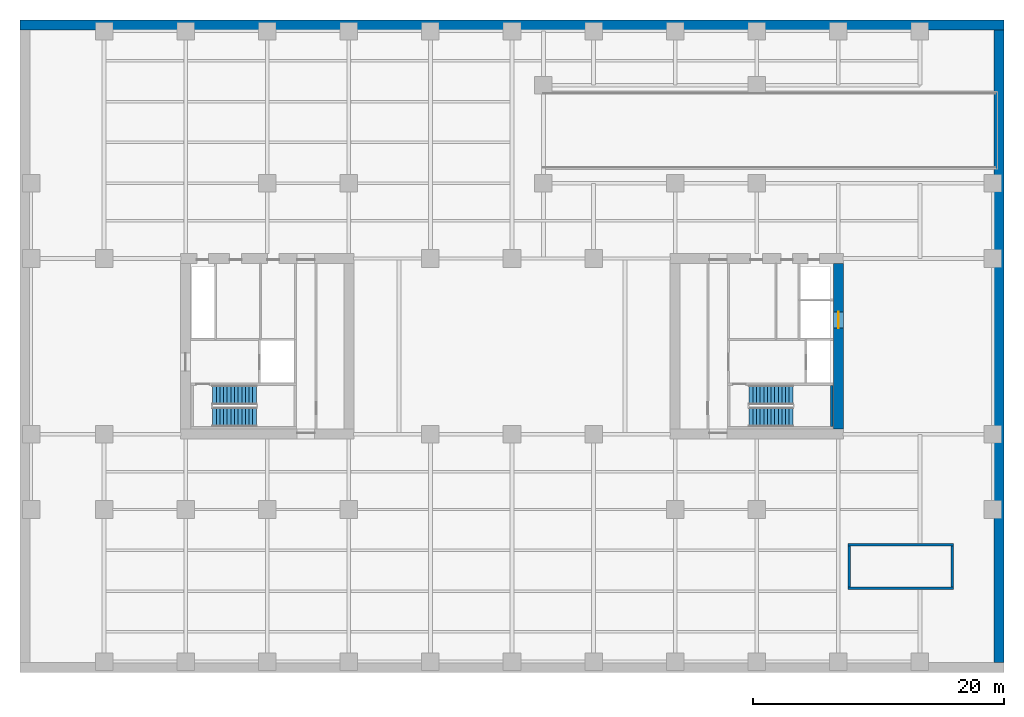
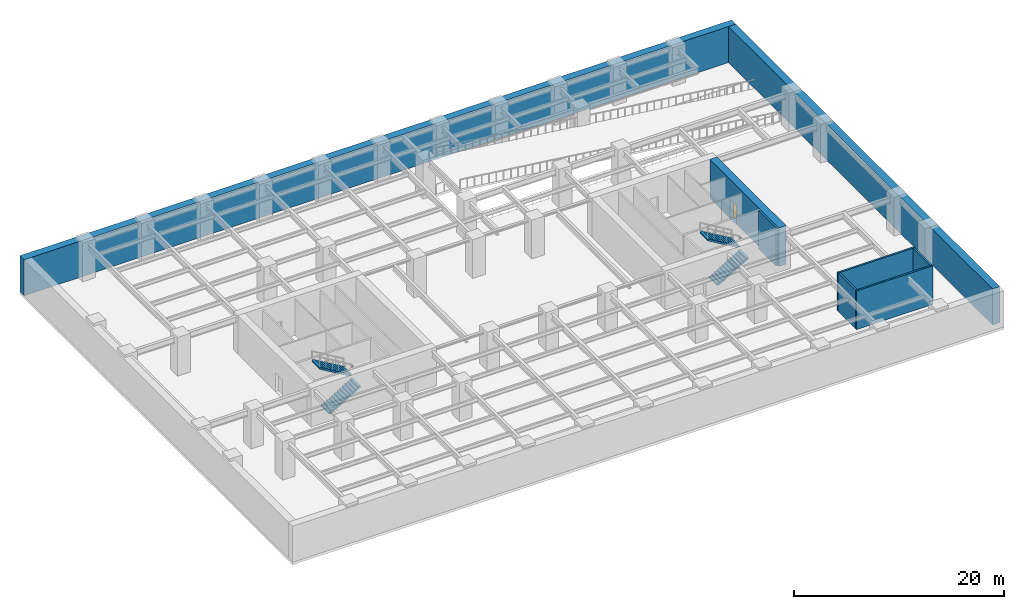
# One storey, part 7 of 10: 8 walls, 4 stair flights, 1 door, 1 opening, 2 elements without a shape of their own.
"""IFC4 building model written with IfcOpenShell, lengths in metres."""

from ifc_helpers import new_model, si_unit, direction, frame, frame_2d, origin, place, context, subcontext, project, spatial, polyline, rectangle, outline, extrude, material, layer, layer_set, type_object, element, fill, aggregate, save


model = new_model("IFC4")

# Units and contexts
model_context = context("Model", 3, precision=1e-05, world=origin(), true_north=direction((0.0, 1.0)))
body_context = subcontext(model_context, "Body", "Model", "MODEL_VIEW")
ifc_project = project(units=[si_unit("LENGTHUNIT", "METRE"), si_unit("AREAUNIT", "SQUARE_METRE"), si_unit("VOLUMEUNIT", "CUBIC_METRE"), si_unit("PLANEANGLEUNIT", "RADIAN"), si_unit("MASSUNIT", "GRAM", prefix="KILO")], contexts=[model_context])

# Site, building, storey
site_placement = place(None, origin())
site = spatial("IfcSite", under=ifc_project, at=site_placement, CompositionType="ELEMENT")
building_placement = place(site_placement, origin())
building = spatial("IfcBuilding", under=site, at=building_placement, Name="Putna Gate Headquarters", CompositionType="ELEMENT")
storey_placement = place(building_placement, frame((0.0, 0.0, -9.0)))
storey = spatial("IfcBuildingStorey", under=building, at=storey_placement, Name="B02", CompositionType="ELEMENT", Elevation=-9.0)

# Wall, opening, door
ifc_material_1 = material(Name="Concrete C60/75", Category="concrete")
ifc_layer_1 = layer(ifc_material_1, 0.800048828125)
ifc_layer_set_1 = layer_set([ifc_layer_1], Name="Concrete C60/75")
wall_type_1 = type_object("IfcWallType", Name="WALL-CORE-800", PredefinedType="SHEAR", material=ifc_layer_set_1)
wall_1_placement = place(storey_placement, frame((65.0, 19.39990234375, 0.0), z_axis=(0.0, 0.0, 1.0), x_axis=(0.0, 1.0, 0.0)))
wall_1 = element("IfcWall", 1, at=wall_1_placement, inside=storey, type_object=wall_type_1, Name="B02 EC Split Core Shear Wall E", PredefinedType="SHEAR", context=body_context, shape_type="SweptSolid", body=[
    extrude(rectangle(XDim=13.2001953125, YDim=0.800048828125, at=frame_2d((6.60009765625, 0.0))), origin(), (0.0, 0.0, 1.0), 4.5),
])
opening_placement = place(wall_1_placement, frame((8.050048828125, 0.0, 0.0)))
opening = element("IfcOpeningElement", 2, at=opening_placement, cuts=wall_1, Name="Opening LD-2", PredefinedType="OPENING", context=body_context, shape_type="SweptSolid", body=[
    extrude(rectangle(XDim=1.300048828125, YDim=2.199951171875, at=frame_2d((0.64990234375, 1.10009765625))), frame((0.0, 0.409912109375, 0.0), z_axis=(0.0, -1.0, 0.0), x_axis=(1.0, 0.0, 0.0)), (0.0, 0.0, 1.0), 0.820068359375),
])
ifc_material_2 = material(Name="Heavy-duty goods lift sliding landing door")
door_type = type_object("IfcDoorType", Name="DOOR-LIFT-1300", OperationType="DOUBLE_DOOR_SLIDING", PredefinedType="DOOR", material=ifc_material_2)
door_placement = place(opening_placement, origin())
door = element("IfcDoor", 3, at=door_placement, inside=storey, type_object=door_type, Name="B02 Goods Lift Landing Door LD-15", OperationType="DOUBLE_DOOR_SLIDING", OverallHeight=2.199951171875, OverallWidth=1.300048828125, PredefinedType="DOOR", context=body_context, shape_type="SweptSolid", body=[
    extrude(rectangle(XDim=1.300048828125, YDim=2.199951171875, at=frame_2d((0.64990234375, 1.10009765625))), frame((0.0, 0.02490234375, 0.0), z_axis=(0.0, -1.0, 0.0), x_axis=(1.0, 0.0, 0.0)), (0.0, 0.0, 1.0), 0.050048828125),
])
fill(opening, door)

# Walls
ifc_material_3 = material(Name="Concrete C40/50", Category="concrete")
ifc_layer_2 = layer(ifc_material_3, 0.800048828125)
ifc_layer_set_2 = layer_set([ifc_layer_2], Name="Concrete C40/50")
wall_type_2 = type_object("IfcWallType", Name="WALL-RET-800", PredefinedType="USERDEFINED", material=ifc_layer_set_2)
wall_2_placement = place(storey_placement, frame((78.199951171875, 51.60009765625, 0.0), z_axis=(0.0, 0.0, 1.0), x_axis=(-1.0, 0.0, 0.0)))
element("IfcWall", 4, at=wall_2_placement, inside=storey, type_object=wall_type_2, Name="B02 Basement Retaining Wall N", ObjectType="RETAININGWALL", PredefinedType="USERDEFINED", context=body_context, shape_type="SweptSolid", body=[
    extrude(rectangle(XDim=78.39990234375, YDim=0.800048828125, at=frame_2d((39.199951171875, 0.0))), origin(), (0.0, 0.0, 1.0), 4.199951171875),
])
wall_3_placement = place(storey_placement, frame((77.800048828125, 0.800048828125, 0.0), z_axis=(0.0, 0.0, 1.0), x_axis=(0.0, 1.0, 0.0)))
element("IfcWall", 5, at=wall_3_placement, inside=storey, type_object=wall_type_2, Name="B02 Basement Retaining Wall E", ObjectType="RETAININGWALL", PredefinedType="USERDEFINED", context=body_context, shape_type="SweptSolid", body=[
    extrude(rectangle(XDim=50.39990234375, YDim=0.800048828125, at=frame_2d((25.199951171875, 0.0))), origin(), (0.0, 0.0, 1.0), 4.199951171875),
])
ifc_layer_3 = layer(ifc_material_3, 0.199951171875)
ifc_layer_set_3 = layer_set([ifc_layer_3], Name="Concrete C40/50")
wall_type_3 = type_object("IfcWallType", Name="WALL-SHAFT-RC200", PredefinedType="SHEAR", material=ifc_layer_set_3)
wall_4_placement = place(storey_placement, frame((64.489990234375, 19.610107421875, 0.0), z_axis=(0.0, 0.0, 1.0), x_axis=(0.0, 1.0, 0.0)))
element("IfcWall", 6, at=wall_4_placement, inside=storey, type_object=wall_type_3, Name="B02 Stair ST2 Structural Shaft Wall E", PredefinedType="SHEAR", context=body_context, shape_type="SweptSolid", body=[
    extrude(rectangle(XDim=3.27978515625, YDim=0.199951171875, at=frame_2d((1.639892578125, 0.0))), origin(), (0.0, 0.0, 1.0), 4.5),
])
for number, where, z_axis, x_axis, name in (
    (7, (65.760009765625, 6.7099609375, 0.0), (0.0, 0.0, 1.0), (1.0, 0.0, 0.0), "B02 Stair ST3 Structural Shaft Wall S"),
    (8, (65.760009765625, 10.18994140625, 0.0), (0.0, 0.0, 1.0), (1.0, 0.0, 0.0), "B02 Stair ST3 Structural Shaft Wall N"),
):
    element("IfcWall", number, at=place(storey_placement, frame(where, z_axis=z_axis, x_axis=x_axis)), inside=storey, type_object=wall_type_3, Name=name, PredefinedType="SHEAR", context=body_context, shape_type="SweptSolid", body=[
        extrude(rectangle(XDim=8.429931640625, YDim=0.199951171875, at=frame_2d((4.21484375, 0.0))), origin(), (0.0, 0.0, 1.0), 4.5),
    ])
for number, where, z_axis, x_axis, name in (
    (9, (65.860107421875, 6.81005859375, 0.0), (0.0, 0.0, 1.0), (0.0, 1.0, 0.0), "B02 Stair ST3 Structural Shaft Wall W"),
    (10, (74.090087890625, 6.81005859375, 0.0), (0.0, 0.0, 1.0), (0.0, 1.0, 0.0), "B02 Stair ST3 Structural Shaft Wall E"),
):
    element("IfcWall", number, at=place(storey_placement, frame(where, z_axis=z_axis, x_axis=x_axis)), inside=storey, type_object=wall_type_3, Name=name, PredefinedType="SHEAR", context=body_context, shape_type="SweptSolid", body=[
        extrude(rectangle(XDim=3.280029296875, YDim=0.199951171875, at=frame_2d((1.64013671875, 0.0))), origin(), (0.0, 0.0, 1.0), 4.5),
    ])

# Stair, stair flights
stair_type_1 = type_object("IfcStairType", Name="STAIR-ST1", PredefinedType="HALF_TURN_STAIR", material=ifc_material_3)
stair_1_placement = place(storey_placement, origin())
stair_1 = element("IfcStair", 11, at=stair_1_placement, inside=storey, type_object=stair_type_1, Name="B02 West Core Exit Stair ST1", PredefinedType="HALF_TURN_STAIR")
stair_flight_type_1 = type_object("IfcStairFlightType", Name="FLIGHT-ST1", PredefinedType="STRAIGHT", material=ifc_material_3)
stair_flight_1_placement = place(storey_placement, frame((15.14990234375, 20.375, 0.0), z_axis=(0.0, 0.0, 1.0), x_axis=(1.0, 0.0, 0.0)))
stair_flight_1 = element("IfcStairFlight", 12, at=stair_flight_1_placement, type_object=stair_flight_type_1, Name="ST1 flight 1", NumberOfRisers=13, NumberOfTreads=12, PredefinedType="STRAIGHT", RiserHeight=0.173076923, TreadLength=0.29, context=body_context, shape_type="SweptSolid", body=[
    extrude(outline(polyline([(0.0, 0.0), (0.0, 0.173095703125), (0.2900390625, 0.173095703125), (0.2900390625, 0.34619140625), (0.580078125, 0.34619140625), (0.580078125, 0.519287109375), (0.8701171875, 0.519287109375), (0.8701171875, 0.6923828125), (1.159912109375, 0.6923828125), (1.159912109375, 0.865478515625), (1.449951171875, 0.865478515625), (1.449951171875, 1.03857421875), (1.739990234375, 1.03857421875), (1.739990234375, 1.21142578125), (2.030029296875, 1.21142578125), (2.030029296875, 1.384521484375), (2.320068359375, 1.384521484375), (2.320068359375, 1.5576171875), (2.610107421875, 1.5576171875), (2.610107421875, 1.730712890625), (2.89990234375, 1.730712890625), (2.89990234375, 1.90380859375), (3.18994140625, 1.90380859375), (3.18994140625, 2.076904296875), (3.47998046875, 2.076904296875), (3.47998046875, 2.25), (3.47998046875, 1.90234375), (0.29248046875, 0.0), (0.0, 0.0)])), frame((0.0, 0.77490234375, 0.0), z_axis=(0.0, -1.0, 0.0), x_axis=(1.0, 0.0, 0.0)), (0.0, 0.0, 1.0), 1.550048828125),
])
stair_flight_2_placement = place(storey_placement, frame((18.6298828125, 22.125, 2.25), z_axis=(0.0, 0.0, 1.0), x_axis=(-1.0, 0.0, 0.0)))
stair_flight_2 = element("IfcStairFlight", 13, at=stair_flight_2_placement, type_object=stair_flight_type_1, Name="ST1 flight 2", NumberOfRisers=13, NumberOfTreads=12, PredefinedType="STRAIGHT", RiserHeight=0.173076923, TreadLength=0.29, context=body_context, shape_type="SweptSolid", body=[
    extrude(outline(polyline([(0.0, 0.0), (0.0, 0.173095703125), (0.2900390625, 0.173095703125), (0.2900390625, 0.34619140625), (0.580078125, 0.34619140625), (0.580078125, 0.519287109375), (0.8701171875, 0.519287109375), (0.8701171875, 0.6923828125), (1.159912109375, 0.6923828125), (1.159912109375, 0.865478515625), (1.449951171875, 0.865478515625), (1.449951171875, 1.03857421875), (1.739990234375, 1.03857421875), (1.739990234375, 1.21142578125), (2.030029296875, 1.21142578125), (2.030029296875, 1.384521484375), (2.320068359375, 1.384521484375), (2.320068359375, 1.5576171875), (2.610107421875, 1.5576171875), (2.610107421875, 1.730712890625), (2.89990234375, 1.730712890625), (2.89990234375, 1.90380859375), (3.18994140625, 1.90380859375), (3.18994140625, 2.076904296875), (3.47998046875, 2.076904296875), (3.47998046875, 2.25), (3.47998046875, 1.90234375), (0.29248046875, 0.0), (0.0, 0.0)])), frame((0.0, 0.77490234375, 0.0), z_axis=(0.0, -1.0, 0.0), x_axis=(1.0, 0.0, 0.0)), (0.0, 0.0, 1.0), 1.550048828125),
])
aggregate(stair_1, [stair_flight_1, stair_flight_2])

stair_type_2 = type_object("IfcStairType", Name="STAIR-ST2", PredefinedType="HALF_TURN_STAIR", material=ifc_material_3)
stair_2_placement = place(storey_placement, origin())
stair_2 = element("IfcStair", 14, at=stair_2_placement, inside=storey, type_object=stair_type_2, Name="B02 East Core Exit Stair ST2", PredefinedType="HALF_TURN_STAIR")
stair_flight_type_2 = type_object("IfcStairFlightType", Name="FLIGHT-ST2", PredefinedType="STRAIGHT", material=ifc_material_3)
stair_flight_3_placement = place(storey_placement, frame((57.89990234375, 20.375, 0.0), z_axis=(0.0, 0.0, 1.0), x_axis=(1.0, 0.0, 0.0)))
stair_flight_3 = element("IfcStairFlight", 15, at=stair_flight_3_placement, type_object=stair_flight_type_2, Name="ST2 flight 1", NumberOfRisers=13, NumberOfTreads=12, PredefinedType="STRAIGHT", RiserHeight=0.173076923, TreadLength=0.29, context=body_context, shape_type="SweptSolid", body=[
    extrude(outline(polyline([(0.0, 0.0), (0.0, 0.173095703125), (0.2900390625, 0.173095703125), (0.2900390625, 0.34619140625), (0.580078125, 0.34619140625), (0.580078125, 0.519287109375), (0.8701171875, 0.519287109375), (0.8701171875, 0.6923828125), (1.159912109375, 0.6923828125), (1.159912109375, 0.865478515625), (1.449951171875, 0.865478515625), (1.449951171875, 1.03857421875), (1.739990234375, 1.03857421875), (1.739990234375, 1.21142578125), (2.030029296875, 1.21142578125), (2.030029296875, 1.384521484375), (2.320068359375, 1.384521484375), (2.320068359375, 1.5576171875), (2.610107421875, 1.5576171875), (2.610107421875, 1.730712890625), (2.89990234375, 1.730712890625), (2.89990234375, 1.90380859375), (3.18994140625, 1.90380859375), (3.18994140625, 2.076904296875), (3.47998046875, 2.076904296875), (3.47998046875, 2.25), (3.47998046875, 1.90234375), (0.29248046875, 0.0), (0.0, 0.0)])), frame((0.0, 0.77490234375, 0.0), z_axis=(0.0, -1.0, 0.0), x_axis=(1.0, 0.0, 0.0)), (0.0, 0.0, 1.0), 1.550048828125),
])
stair_flight_4_placement = place(storey_placement, frame((61.3798828125, 22.125, 2.25), z_axis=(0.0, 0.0, 1.0), x_axis=(-1.0, 0.0, 0.0)))
stair_flight_4 = element("IfcStairFlight", 16, at=stair_flight_4_placement, type_object=stair_flight_type_2, Name="ST2 flight 2", NumberOfRisers=13, NumberOfTreads=12, PredefinedType="STRAIGHT", RiserHeight=0.173076923, TreadLength=0.29, context=body_context, shape_type="SweptSolid", body=[
    extrude(outline(polyline([(0.0, 0.0), (0.0, 0.173095703125), (0.2900390625, 0.173095703125), (0.2900390625, 0.34619140625), (0.580078125, 0.34619140625), (0.580078125, 0.519287109375), (0.8701171875, 0.519287109375), (0.8701171875, 0.6923828125), (1.159912109375, 0.6923828125), (1.159912109375, 0.865478515625), (1.449951171875, 0.865478515625), (1.449951171875, 1.03857421875), (1.739990234375, 1.03857421875), (1.739990234375, 1.21142578125), (2.030029296875, 1.21142578125), (2.030029296875, 1.384521484375), (2.320068359375, 1.384521484375), (2.320068359375, 1.5576171875), (2.610107421875, 1.5576171875), (2.610107421875, 1.730712890625), (2.89990234375, 1.730712890625), (2.89990234375, 1.90380859375), (3.18994140625, 1.90380859375), (3.18994140625, 2.076904296875), (3.47998046875, 2.076904296875), (3.47998046875, 2.25), (3.47998046875, 1.90234375), (0.29248046875, 0.0), (0.0, 0.0)])), frame((0.0, 0.77490234375, 0.0), z_axis=(0.0, -1.0, 0.0), x_axis=(1.0, 0.0, 0.0)), (0.0, 0.0, 1.0), 1.550048828125),
])
aggregate(stair_2, [stair_flight_3, stair_flight_4])

save(model, "model.ifc")
